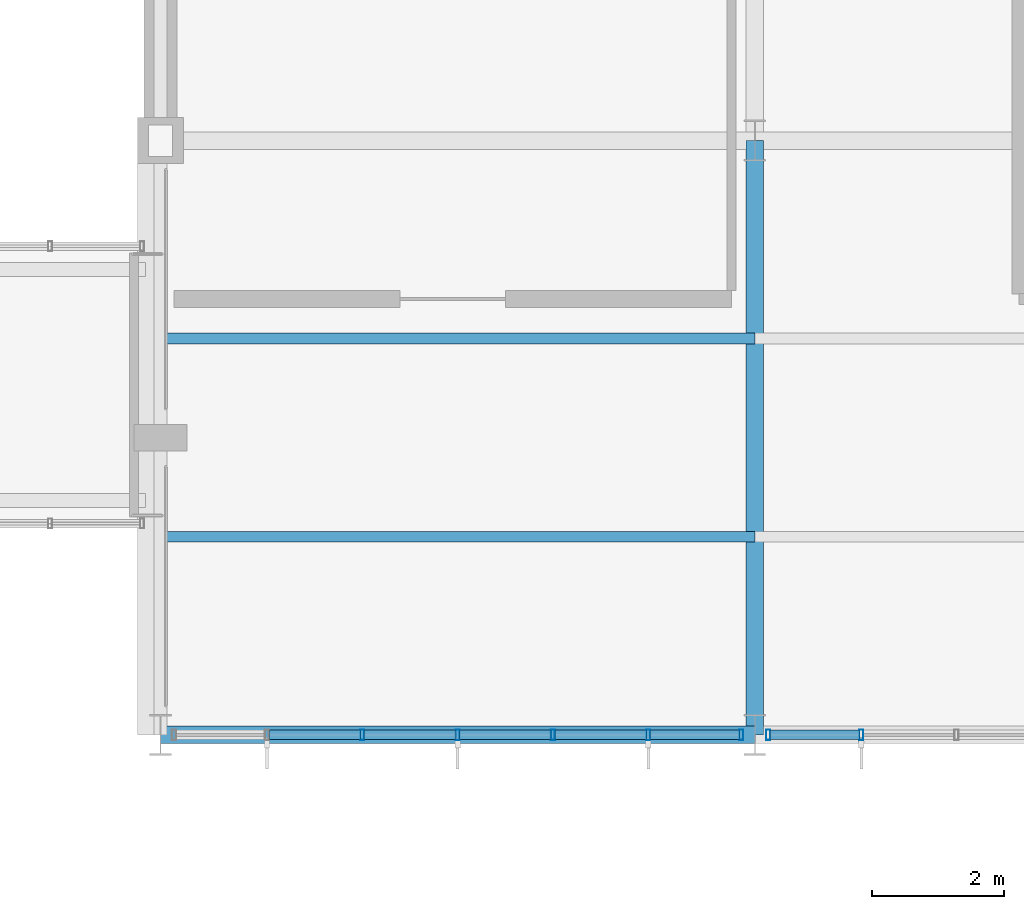
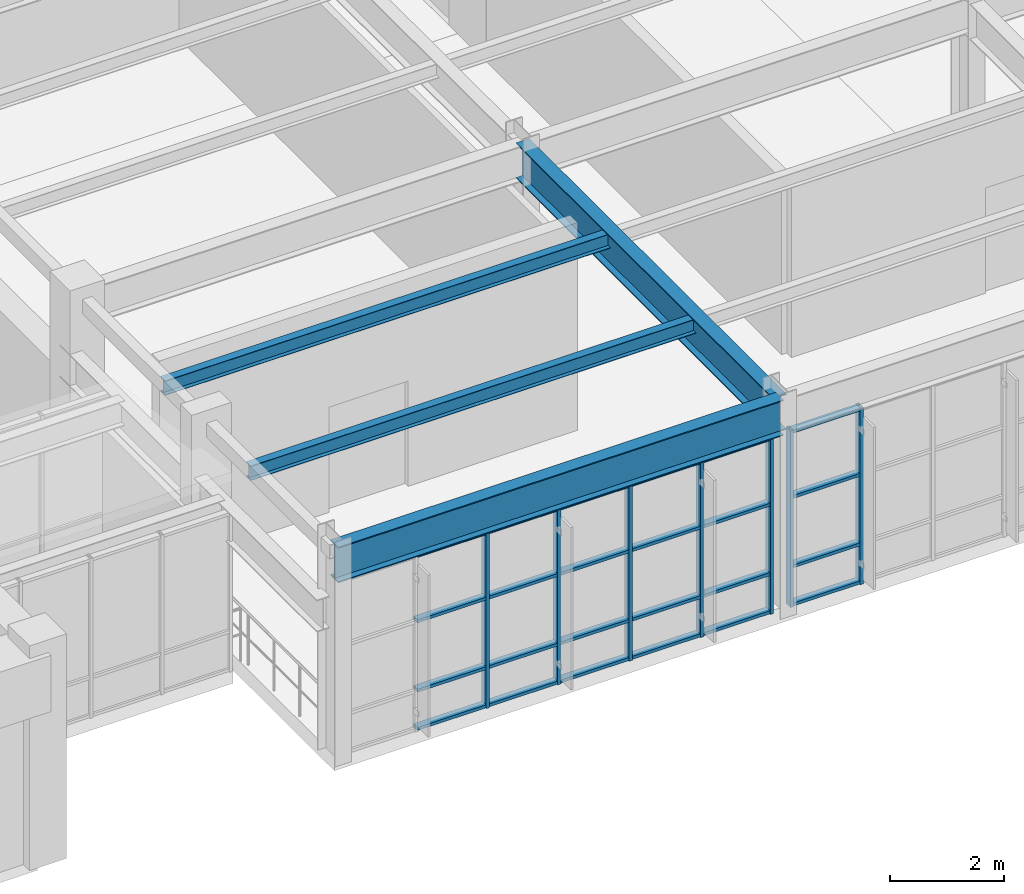
# One storey, part 62 of 99: 33 members, 2 beams, 2 elements without a shape of their own.
"""IFC4 building model written with IfcOpenShell, lengths in metres."""

import ifcopenshell
import ifcopenshell.guid

model = None  # the IFC model being written
_history = None  # IfcOwnerHistory: only IFC2X3 demands one
_inside = {}  # id of a spatial element -> (the spatial element, [elements in it])
_under = {}  # id of a project, library or spatial element -> (it, [spatial elements below it])
_declared = {}  # id of a project -> (the project, [libraries it declares])
_typed = {}  # id of a type object -> (the type object, [elements of that type])
_made_of = {}  # id of a material, layer set ... -> (it, [elements and type objects made of it])


def new_model(schema):
    """Start an empty IFC model of exactly this schema.

    Asked for "IFC4X3", IfcOpenShell would pick the latest addendum, in which some entities
    have other attributes; the version numbers below select the first issue.
    IFC2X3 requires an IfcOwnerHistory on every rooted entity: one is made here for all.
    """
    global model, _history
    if schema == "IFC4X3":
        model = ifcopenshell.file(schema_version=(4, 3, 0, 0))
    else:
        model = ifcopenshell.file(schema=schema)
    _inside.clear()
    _under.clear()
    _declared.clear()
    _typed.clear()
    _made_of.clear()
    _history = None
    if model.schema == "IFC2X3":
        org = make("IfcOrganization", Name="unknown")
        user = make(
            "IfcPersonAndOrganization",
            ThePerson=make("IfcPerson", FamilyName="unknown"),
            TheOrganization=org,
        )
        app = make(
            "IfcApplication",
            ApplicationDeveloper=org,
            Version="unknown",
            ApplicationFullName="unknown",
            ApplicationIdentifier="unknown",
        )
        _history = make(
            "IfcOwnerHistory",
            OwningUser=user,
            OwningApplication=app,
            ChangeAction="ADDED",
            CreationDate=0,
        )
    return model


def make(cls, **values):
    """One entity of the class cls with the attributes given. An attribute that is None is left unset."""
    return model.create_entity(
        cls, **{name: value for name, value in values.items() if value is not None}
    )


def rooted(cls, **values):
    """An entity with a GlobalId (a new one), such as an element, a storey or a relation."""
    return make(cls, GlobalId=ifcopenshell.guid.new(), OwnerHistory=_history, **values)


def si_unit(unit_type, name, prefix=None):
    """IfcSIUnit, for example si_unit("LENGTHUNIT", "METRE", prefix="MILLI")."""
    return make("IfcSIUnit", UnitType=unit_type, Prefix=prefix, Name=name)


def assignment(units):
    """IfcUnitAssignment: the units of a project."""
    return None if units is None else make("IfcUnitAssignment", Units=units)


def point(xyz):
    """IfcCartesianPoint."""
    return None if xyz is None else make("IfcCartesianPoint", Coordinates=xyz)


def direction(xyz):
    """IfcDirection."""
    return None if xyz is None else make("IfcDirection", DirectionRatios=xyz)


def frame(location, z_axis=None, x_axis=None):
    """IfcAxis2Placement3D, a coordinate frame: its origin and axes. An axis left out is left unset."""
    return make(
        "IfcAxis2Placement3D",
        Location=point(location),
        Axis=direction(z_axis),
        RefDirection=direction(x_axis),
    )


def frame_2d(location, x_axis=None):
    """IfcAxis2Placement2D, a coordinate frame in the plane: its origin and x axis."""
    return make(
        "IfcAxis2Placement2D", Location=point(location), RefDirection=direction(x_axis)
    )


def origin():
    """The frame at (0, 0, 0) with its axes left unset."""
    return frame((0.0, 0.0, 0.0))


def origin_2d():
    """The frame at (0, 0) in the plane with its x axis left unset."""
    return frame_2d((0.0, 0.0))


def place(relative_to, where):
    """IfcLocalPlacement: puts the frame where relative to a parent placement (None: the world)."""
    return make(
        "IfcLocalPlacement", PlacementRelTo=relative_to, RelativePlacement=where
    )


def context(
    kind, dimensions, precision=None, world=None, true_north=None, identifier=None
):
    """IfcGeometricRepresentationContext, for example the 3D "Model" context."""
    return make(
        "IfcGeometricRepresentationContext",
        ContextIdentifier=identifier,
        ContextType=kind,
        CoordinateSpaceDimension=dimensions,
        Precision=precision,
        WorldCoordinateSystem=world,
        TrueNorth=true_north,
    )


def subcontext(parent, identifier, kind, view, scale=None):
    """IfcGeometricRepresentationSubContext, for example "Body" below "Model"."""
    return make(
        "IfcGeometricRepresentationSubContext",
        ContextIdentifier=identifier,
        ContextType=kind,
        ParentContext=parent,
        TargetScale=scale,
        TargetView=view,
    )


def project(units=None, contexts=None):
    """IfcProject with its units and contexts."""
    return rooted(
        "IfcProject",
        Name="project",
        RepresentationContexts=contexts,
        UnitsInContext=assignment(units),
    )


def spatial(cls, under=None, at=None, **own):
    """A site, building, storey or space (cls), placed at a placement, below another one or the project."""
    s = rooted(cls, ObjectPlacement=at, **own)
    if under is not None:
        _under.setdefault(under.id(), (under, []))[1].append(s)
    return s


def profile(cls, at=None, kind="AREA", **sizes):
    """A parametric profile (cls). Its sizes go by their IFC names, for example OverallWidth=200.0."""
    return make(cls, ProfileType=kind, Position=at, **sizes)


def hollow_rectangle(**sizes):
    """IfcRectangleHollowProfileDef."""
    return profile("IfcRectangleHollowProfileDef", **sizes)


def i_section(**sizes):
    """IfcIShapeProfileDef."""
    return profile("IfcIShapeProfileDef", **sizes)


def extrude(swept, where, along, depth):
    """IfcExtrudedAreaSolid: the profile swept, set in the frame where, extruded along a direction by depth."""
    return make(
        "IfcExtrudedAreaSolid",
        SweptArea=swept,
        Position=where,
        ExtrudedDirection=direction(along),
        Depth=depth,
    )


def shape(context_of_items, identifier, shape_type, items):
    """IfcShapeRepresentation: the items that make up one representation, for example the "Body"."""
    return make(
        "IfcShapeRepresentation",
        ContextOfItems=context_of_items,
        RepresentationIdentifier=identifier,
        RepresentationType=shape_type,
        Items=items,
    )


def material(Name=None, Category=None):
    """IfcMaterial."""
    return make("IfcMaterial", Name=Name, Category=Category)


def layer(
    of_material, thickness, ventilated=None, Name=None, Category=None, Priority=None
):
    """IfcMaterialLayer: one layer of a wall or slab, of a material (None: an air gap)."""
    return make(
        "IfcMaterialLayer",
        Material=of_material,
        LayerThickness=thickness,
        IsVentilated=ventilated,
        Name=Name,
        Category=Category,
        Priority=Priority,
    )


def layer_set(layers, Name=None):
    """IfcMaterialLayerSet."""
    return make("IfcMaterialLayerSet", MaterialLayers=layers, LayerSetName=Name)


def material_profile(
    of_material, cross_section, Name=None, Category=None, Priority=None
):
    """IfcMaterialProfile: a cross section and its material."""
    return make(
        "IfcMaterialProfile",
        Name=Name,
        Material=of_material,
        Profile=cross_section,
        Priority=Priority,
        Category=Category,
    )


def profile_set(profiles, Name=None, composite=None):
    """IfcMaterialProfileSet."""
    return make(
        "IfcMaterialProfileSet",
        Name=Name,
        MaterialProfiles=profiles,
        CompositeProfile=composite,
    )


def made_of(thing, what):
    """Note that an element or type object is made of a material, layer set ...; save() writes the relation."""
    if what is not None:
        _made_of.setdefault(what.id(), (what, []))[1].append(thing)
    return thing


def type_object(cls, material=None, **own):
    """A type object (cls), such as IfcWallType, which elements share."""
    return made_of(rooted(cls, **own), material)


def element(
    cls,
    number,
    at=None,
    inside=None,
    cuts=None,
    type_object=None,
    material=None,
    context=None,
    identifier="Body",
    shape_type=None,
    held_by="IfcProductDefinitionShape",
    body=None,
    shapes=None,
    **own,
):
    """One element of the class cls, such as IfcWall. Its Tag is "e" and its number.

    at: its placement. inside: the storey or other place that contains it. cuts: it is an
    opening in that element (IfcRelVoidsElement). A single representation is given by context,
    identifier, shape_type and body (its items); several are given by shapes. held_by: the class
    of the entity that holds the representations. save() writes the other relations.
    """
    e = rooted(cls, Tag="e%d" % number, ObjectPlacement=at, **own)
    if body is not None:
        shapes = [shape(context, identifier, shape_type, body)]
    if shapes is not None:
        e.Representation = make(held_by, Representations=shapes)
    if inside is not None:
        _inside.setdefault(inside.id(), (inside, []))[1].append(e)
    if cuts is not None:
        rooted(
            "IfcRelVoidsElement", RelatingBuildingElement=cuts, RelatedOpeningElement=e
        )
    if type_object is not None:
        _typed.setdefault(type_object.id(), (type_object, []))[1].append(e)
    return made_of(e, material)


def aggregate(whole, parts):
    """IfcRelAggregates: a whole, such as a stair, and the parts it consists of."""
    return rooted("IfcRelAggregates", RelatingObject=whole, RelatedObjects=parts)


def save(model, path):
    """Write the relations noted so far, then the file.

    IfcRelAggregates (storeys below a building ...), IfcRelContainedInSpatialStructure (elements
    in a storey), IfcRelDefinesByType, IfcRelAssociatesMaterial and IfcRelDeclares: one each for
    every whole, place, type object, material and project.
    """
    for whole, parts in _under.values():
        aggregate(whole, parts)
    for where, things in _inside.values():
        rooted(
            "IfcRelContainedInSpatialStructure",
            RelatedElements=things,
            RelatingStructure=where,
        )
    for kind, things in _typed.values():
        rooted("IfcRelDefinesByType", RelatedObjects=things, RelatingType=kind)
    for what, things in _made_of.values():
        rooted("IfcRelAssociatesMaterial", RelatedObjects=things, RelatingMaterial=what)
    for by, libraries in _declared.values():
        rooted("IfcRelDeclares", RelatingContext=by, RelatedDefinitions=libraries)
    model.write(path)


model = new_model("IFC4")

# Units and contexts
model_context = context("Model", 3, precision=1e-05, world=origin(), true_north=direction((0.0, 1.0)))
body_context = subcontext(model_context, "Body", "Model", "MODEL_VIEW")
ifc_project = project(units=[si_unit("LENGTHUNIT", "METRE"), si_unit("AREAUNIT", "SQUARE_METRE"), si_unit("VOLUMEUNIT", "CUBIC_METRE"), si_unit("PLANEANGLEUNIT", "RADIAN"), si_unit("MASSUNIT", "GRAM", prefix="KILO")], contexts=[model_context])

# Site, building, storey
site_placement = place(None, origin())
site = spatial("IfcSite", under=ifc_project, at=site_placement, CompositionType="ELEMENT")
building_placement = place(site_placement, origin())
building = spatial("IfcBuilding", under=site, at=building_placement, Name="Ventoquebrada Cableway Terminal", CompositionType="ELEMENT")
storey_placement = place(building_placement, frame((0.0, 0.0, 9.60009765625)))
storey = spatial("IfcBuildingStorey", under=building, at=storey_placement, Name="L02", CompositionType="ELEMENT", Elevation=9.60009765625)

# Beams
ifc_material_1 = material(Name="Steel ASTM A992 Grade 50", Category="steel")
ifc_material_profile_1 = material_profile(ifc_material_1, i_section(OverallWidth=0.26708984375, OverallDepth=0.761962890625, WebThickness=0.014404296875, FlangeThickness=0.021484375, at=origin_2d()), Name="W30X116")
ifc_profile_set_1 = profile_set([ifc_material_profile_1], Name="Steel ASTM A992 Grade 50")
beam_type = type_object("IfcBeamType", Name="BM-ST05", PredefinedType="BEAM", material=ifc_profile_set_1)
for number, where, z_axis, x_axis, name in (
    (1, (129.0, 77.0, 4.14892578125), (1.0, 0.0, 0.0), (0.0, 1.0, 0.0), "Primary frame girder FBM-0856"),
    (2, (138.0, 77.0, 4.14892578125), (0.0, 1.0, 0.0), (-1.0, 0.0, 0.0), "Primary frame girder FBM-0876"),
):
    element("IfcBeam", number, at=place(storey_placement, frame(where, z_axis=z_axis, x_axis=x_axis)), inside=storey, type_object=beam_type, Name=name, PredefinedType="BEAM", context=body_context, shape_type="SweptSolid", body=[
        extrude(i_section(OverallWidth=0.26708984375, OverallDepth=0.761962890625, WebThickness=0.014404296875, FlangeThickness=0.021484375, at=origin_2d()), origin(), (0.0, 0.0, 1.0), 9.0),
    ])

# Curtain wall, members
ifc_material_2 = material(Name="Anodized thermally-broken aluminium", Category="aluminium")
ifc_layer = layer(ifc_material_2, 0.159912109375)
ifc_layer_set = layer_set([ifc_layer], Name="Anodized thermally-broken aluminium")
curtain_wall_type = type_object("IfcCurtainWallType", Name="CW-T33", PredefinedType="USERDEFINED", material=ifc_layer_set)
curtain_wall_1_placement = place(storey_placement, origin())
curtain_wall_1 = element("IfcCurtainWall", 3, at=curtain_wall_1_placement, inside=storey, type_object=curtain_wall_type, Name="Unitised glazed curtain wall CW-078", ObjectType="UNITISED CURTAIN WALL", PredefinedType="USERDEFINED")
ifc_material_profile_2 = material_profile(ifc_material_2, hollow_rectangle(XDim=0.06494140625, YDim=0.159912109375, WallThickness=0.00390625, at=origin_2d()), Name="CW-MUL-65X160")
ifc_profile_set_2 = profile_set([ifc_material_profile_2], Name="Anodized thermally-broken aluminium")
member_type_1 = type_object("IfcMemberType", Name="CWM-01", PredefinedType="MULLION", material=ifc_profile_set_2)
member_1_placement = place(storey_placement, frame((132.055908203125, 77.0, -0.008056640625), z_axis=(0.0, 0.0, 1.0), x_axis=(1.0, 0.0, 0.0)))
member_1 = element("IfcMember", 4, at=member_1_placement, type_object=member_type_1, Name="Curtain wall mullion FML-0374", PredefinedType="MULLION", context=body_context, shape_type="SweptSolid", body=[
    extrude(hollow_rectangle(XDim=0.06494140625, YDim=0.159912109375, WallThickness=0.00390625, at=origin_2d()), origin(), (0.0, 0.0, 1.0), 3.77587890625),
])
member_2_placement = place(storey_placement, frame((133.5, 77.0, -0.008056640625), z_axis=(0.0, 0.0, 1.0), x_axis=(1.0, 0.0, 0.0)))
member_2 = element("IfcMember", 5, at=member_2_placement, type_object=member_type_1, Name="Curtain wall mullion FML-0375", PredefinedType="MULLION", context=body_context, shape_type="SweptSolid", body=[
    extrude(hollow_rectangle(XDim=0.06494140625, YDim=0.159912109375, WallThickness=0.00390625, at=origin_2d()), origin(), (0.0, 0.0, 1.0), 3.77587890625),
])
member_3_placement = place(storey_placement, frame((134.944091796875, 77.0, -0.008056640625), z_axis=(0.0, 0.0, 1.0), x_axis=(1.0, 0.0, 0.0)))
member_3 = element("IfcMember", 6, at=member_3_placement, type_object=member_type_1, Name="Curtain wall mullion FML-0376", PredefinedType="MULLION", context=body_context, shape_type="SweptSolid", body=[
    extrude(hollow_rectangle(XDim=0.06494140625, YDim=0.159912109375, WallThickness=0.00390625, at=origin_2d()), origin(), (0.0, 0.0, 1.0), 3.77587890625),
])
member_4_placement = place(storey_placement, frame((136.386962890625, 77.0, -0.008056640625), z_axis=(0.0, 0.0, 1.0), x_axis=(1.0, 0.0, 0.0)))
member_4 = element("IfcMember", 7, at=member_4_placement, type_object=member_type_1, Name="Curtain wall mullion FML-0377", PredefinedType="MULLION", context=body_context, shape_type="SweptSolid", body=[
    extrude(hollow_rectangle(XDim=0.06494140625, YDim=0.159912109375, WallThickness=0.00390625, at=origin_2d()), origin(), (0.0, 0.0, 1.0), 3.77587890625),
])
member_5_placement = place(storey_placement, frame((137.7958984375, 77.0, -0.008056640625), z_axis=(0.0, 0.0, 1.0), x_axis=(1.0, 0.0, 0.0)))
member_5 = element("IfcMember", 8, at=member_5_placement, type_object=member_type_1, Name="Curtain wall mullion FML-0378", PredefinedType="MULLION", context=body_context, shape_type="SweptSolid", body=[
    extrude(hollow_rectangle(XDim=0.06494140625, YDim=0.159912109375, WallThickness=0.00390625, at=origin_2d()), origin(), (0.0, 0.0, 1.0), 3.77587890625),
])

curtain_wall_2_placement = place(storey_placement, origin())
curtain_wall_2 = element("IfcCurtainWall", 9, at=curtain_wall_2_placement, inside=storey, type_object=curtain_wall_type, Name="Unitised glazed curtain wall CW-079", ObjectType="UNITISED CURTAIN WALL", PredefinedType="USERDEFINED")
member_6_placement = place(storey_placement, frame((138.2041015625, 77.0, -0.008056640625), z_axis=(0.0, 0.0, 1.0), x_axis=(1.0, 0.0, 0.0)))
member_6 = element("IfcMember", 10, at=member_6_placement, type_object=member_type_1, Name="Curtain wall mullion FML-0379", PredefinedType="MULLION", context=body_context, shape_type="SweptSolid", body=[
    extrude(hollow_rectangle(XDim=0.06494140625, YDim=0.159912109375, WallThickness=0.00390625, at=origin_2d()), origin(), (0.0, 0.0, 1.0), 3.77587890625),
])
member_7_placement = place(storey_placement, frame((139.613037109375, 77.0, -0.008056640625), z_axis=(0.0, 0.0, 1.0), x_axis=(1.0, 0.0, 0.0)))
member_7 = element("IfcMember", 11, at=member_7_placement, type_object=member_type_1, Name="Curtain wall mullion FML-0380", PredefinedType="MULLION", context=body_context, shape_type="SweptSolid", body=[
    extrude(hollow_rectangle(XDim=0.06494140625, YDim=0.159912109375, WallThickness=0.00390625, at=origin_2d()), origin(), (0.0, 0.0, 1.0), 3.77587890625),
])

# Member
ifc_material_profile_3 = material_profile(ifc_material_2, hollow_rectangle(XDim=0.06494140625, YDim=0.139892578125, WallThickness=0.00390625, at=origin_2d()), Name="CW-TRN-65X140")
ifc_profile_set_3 = profile_set([ifc_material_profile_3], Name="Anodized thermally-broken aluminium")
member_type_2 = type_object("IfcMemberType", Name="CWT-01", PredefinedType="USERDEFINED", material=ifc_profile_set_3)
member_8_placement = place(storey_placement, frame((130.639892578125, 77.0, 0.034912109375), z_axis=(1.0, 0.0, 0.0), x_axis=(0.0, 0.0, 1.0)))
member_8 = element("IfcMember", 12, at=member_8_placement, type_object=member_type_2, Name="Curtain wall transom FTR-1088", ObjectType="TRANSOM", PredefinedType="USERDEFINED", context=body_context, shape_type="SweptSolid", body=[
    extrude(hollow_rectangle(XDim=0.06494140625, YDim=0.139892578125, WallThickness=0.00390625, at=origin_2d()), origin(), (0.0, 0.0, 1.0), 1.38916015625),
])

member_9_placement = place(storey_placement, frame((130.639892578125, 77.0, 0.849853515625), z_axis=(1.0, 0.0, 0.0), x_axis=(0.0, 0.0, 1.0)))
member_9 = element("IfcMember", 13, at=member_9_placement, type_object=member_type_2, Name="Curtain wall transom FTR-1089", ObjectType="TRANSOM", PredefinedType="USERDEFINED", context=body_context, shape_type="SweptSolid", body=[
    extrude(hollow_rectangle(XDim=0.06494140625, YDim=0.139892578125, WallThickness=0.00390625, at=origin_2d()), origin(), (0.0, 0.0, 1.0), 1.38916015625),
])

member_10_placement = place(storey_placement, frame((130.639892578125, 77.0, 2.3330078125), z_axis=(1.0, 0.0, 0.0), x_axis=(0.0, 0.0, 1.0)))
member_10 = element("IfcMember", 14, at=member_10_placement, type_object=member_type_2, Name="Curtain wall transom FTR-1090", ObjectType="TRANSOM", PredefinedType="USERDEFINED", context=body_context, shape_type="SweptSolid", body=[
    extrude(hollow_rectangle(XDim=0.06494140625, YDim=0.139892578125, WallThickness=0.00390625, at=origin_2d()), origin(), (0.0, 0.0, 1.0), 1.38916015625),
])

member_11_placement = place(storey_placement, frame((130.639892578125, 77.0, 3.727783203125), z_axis=(1.0, 0.0, 0.0), x_axis=(0.0, 0.0, 1.0)))
member_11 = element("IfcMember", 15, at=member_11_placement, type_object=member_type_2, Name="Curtain wall transom FTR-1091", ObjectType="TRANSOM", PredefinedType="USERDEFINED", context=body_context, shape_type="SweptSolid", body=[
    extrude(hollow_rectangle(XDim=0.06494140625, YDim=0.139892578125, WallThickness=0.00390625, at=origin_2d()), origin(), (0.0, 0.0, 1.0), 1.38916015625),
])

member_12_placement = place(storey_placement, frame((132.083984375, 77.0, 0.034912109375), z_axis=(1.0, 0.0, 0.0), x_axis=(0.0, 0.0, 1.0)))
member_12 = element("IfcMember", 16, at=member_12_placement, type_object=member_type_2, Name="Curtain wall transom FTR-1092", ObjectType="TRANSOM", PredefinedType="USERDEFINED", context=body_context, shape_type="SweptSolid", body=[
    extrude(hollow_rectangle(XDim=0.06494140625, YDim=0.139892578125, WallThickness=0.00390625, at=origin_2d()), origin(), (0.0, 0.0, 1.0), 1.387939453125),
])

member_13_placement = place(storey_placement, frame((132.083984375, 77.0, 0.849853515625), z_axis=(1.0, 0.0, 0.0), x_axis=(0.0, 0.0, 1.0)))
member_13 = element("IfcMember", 17, at=member_13_placement, type_object=member_type_2, Name="Curtain wall transom FTR-1093", ObjectType="TRANSOM", PredefinedType="USERDEFINED", context=body_context, shape_type="SweptSolid", body=[
    extrude(hollow_rectangle(XDim=0.06494140625, YDim=0.139892578125, WallThickness=0.00390625, at=origin_2d()), origin(), (0.0, 0.0, 1.0), 1.387939453125),
])

member_14_placement = place(storey_placement, frame((132.083984375, 77.0, 2.3330078125), z_axis=(1.0, 0.0, 0.0), x_axis=(0.0, 0.0, 1.0)))
member_14 = element("IfcMember", 18, at=member_14_placement, type_object=member_type_2, Name="Curtain wall transom FTR-1094", ObjectType="TRANSOM", PredefinedType="USERDEFINED", context=body_context, shape_type="SweptSolid", body=[
    extrude(hollow_rectangle(XDim=0.06494140625, YDim=0.139892578125, WallThickness=0.00390625, at=origin_2d()), origin(), (0.0, 0.0, 1.0), 1.387939453125),
])

member_15_placement = place(storey_placement, frame((132.083984375, 77.0, 3.727783203125), z_axis=(1.0, 0.0, 0.0), x_axis=(0.0, 0.0, 1.0)))
member_15 = element("IfcMember", 19, at=member_15_placement, type_object=member_type_2, Name="Curtain wall transom FTR-1095", ObjectType="TRANSOM", PredefinedType="USERDEFINED", context=body_context, shape_type="SweptSolid", body=[
    extrude(hollow_rectangle(XDim=0.06494140625, YDim=0.139892578125, WallThickness=0.00390625, at=origin_2d()), origin(), (0.0, 0.0, 1.0), 1.387939453125),
])

member_16_placement = place(storey_placement, frame((133.528076171875, 77.0, 0.034912109375), z_axis=(1.0, 0.0, 0.0), x_axis=(0.0, 0.0, 1.0)))
member_16 = element("IfcMember", 20, at=member_16_placement, type_object=member_type_2, Name="Curtain wall transom FTR-1096", ObjectType="TRANSOM", PredefinedType="USERDEFINED", context=body_context, shape_type="SweptSolid", body=[
    extrude(hollow_rectangle(XDim=0.06494140625, YDim=0.139892578125, WallThickness=0.00390625, at=origin_2d()), origin(), (0.0, 0.0, 1.0), 1.387939453125),
])

member_17_placement = place(storey_placement, frame((133.528076171875, 77.0, 0.849853515625), z_axis=(1.0, 0.0, 0.0), x_axis=(0.0, 0.0, 1.0)))
member_17 = element("IfcMember", 21, at=member_17_placement, type_object=member_type_2, Name="Curtain wall transom FTR-1097", ObjectType="TRANSOM", PredefinedType="USERDEFINED", context=body_context, shape_type="SweptSolid", body=[
    extrude(hollow_rectangle(XDim=0.06494140625, YDim=0.139892578125, WallThickness=0.00390625, at=origin_2d()), origin(), (0.0, 0.0, 1.0), 1.387939453125),
])

member_18_placement = place(storey_placement, frame((133.528076171875, 77.0, 2.3330078125), z_axis=(1.0, 0.0, 0.0), x_axis=(0.0, 0.0, 1.0)))
member_18 = element("IfcMember", 22, at=member_18_placement, type_object=member_type_2, Name="Curtain wall transom FTR-1098", ObjectType="TRANSOM", PredefinedType="USERDEFINED", context=body_context, shape_type="SweptSolid", body=[
    extrude(hollow_rectangle(XDim=0.06494140625, YDim=0.139892578125, WallThickness=0.00390625, at=origin_2d()), origin(), (0.0, 0.0, 1.0), 1.387939453125),
])

member_19_placement = place(storey_placement, frame((133.528076171875, 77.0, 3.727783203125), z_axis=(1.0, 0.0, 0.0), x_axis=(0.0, 0.0, 1.0)))
member_19 = element("IfcMember", 23, at=member_19_placement, type_object=member_type_2, Name="Curtain wall transom FTR-1099", ObjectType="TRANSOM", PredefinedType="USERDEFINED", context=body_context, shape_type="SweptSolid", body=[
    extrude(hollow_rectangle(XDim=0.06494140625, YDim=0.139892578125, WallThickness=0.00390625, at=origin_2d()), origin(), (0.0, 0.0, 1.0), 1.387939453125),
])

member_20_placement = place(storey_placement, frame((134.970947265625, 77.0, 0.034912109375), z_axis=(1.0, 0.0, 0.0), x_axis=(0.0, 0.0, 1.0)))
member_20 = element("IfcMember", 24, at=member_20_placement, type_object=member_type_2, Name="Curtain wall transom FTR-1100", ObjectType="TRANSOM", PredefinedType="USERDEFINED", context=body_context, shape_type="SweptSolid", body=[
    extrude(hollow_rectangle(XDim=0.06494140625, YDim=0.139892578125, WallThickness=0.00390625, at=origin_2d()), origin(), (0.0, 0.0, 1.0), 1.38916015625),
])

member_21_placement = place(storey_placement, frame((134.970947265625, 77.0, 0.849853515625), z_axis=(1.0, 0.0, 0.0), x_axis=(0.0, 0.0, 1.0)))
member_21 = element("IfcMember", 25, at=member_21_placement, type_object=member_type_2, Name="Curtain wall transom FTR-1101", ObjectType="TRANSOM", PredefinedType="USERDEFINED", context=body_context, shape_type="SweptSolid", body=[
    extrude(hollow_rectangle(XDim=0.06494140625, YDim=0.139892578125, WallThickness=0.00390625, at=origin_2d()), origin(), (0.0, 0.0, 1.0), 1.38916015625),
])

member_22_placement = place(storey_placement, frame((134.970947265625, 77.0, 2.3330078125), z_axis=(1.0, 0.0, 0.0), x_axis=(0.0, 0.0, 1.0)))
member_22 = element("IfcMember", 26, at=member_22_placement, type_object=member_type_2, Name="Curtain wall transom FTR-1102", ObjectType="TRANSOM", PredefinedType="USERDEFINED", context=body_context, shape_type="SweptSolid", body=[
    extrude(hollow_rectangle(XDim=0.06494140625, YDim=0.139892578125, WallThickness=0.00390625, at=origin_2d()), origin(), (0.0, 0.0, 1.0), 1.38916015625),
])

member_23_placement = place(storey_placement, frame((134.970947265625, 77.0, 3.727783203125), z_axis=(1.0, 0.0, 0.0), x_axis=(0.0, 0.0, 1.0)))
member_23 = element("IfcMember", 27, at=member_23_placement, type_object=member_type_2, Name="Curtain wall transom FTR-1103", ObjectType="TRANSOM", PredefinedType="USERDEFINED", context=body_context, shape_type="SweptSolid", body=[
    extrude(hollow_rectangle(XDim=0.06494140625, YDim=0.139892578125, WallThickness=0.00390625, at=origin_2d()), origin(), (0.0, 0.0, 1.0), 1.38916015625),
])

member_24_placement = place(storey_placement, frame((136.4150390625, 77.0, 0.034912109375), z_axis=(1.0, 0.0, 0.0), x_axis=(0.0, 0.0, 1.0)))
member_24 = element("IfcMember", 28, at=member_24_placement, type_object=member_type_2, Name="Curtain wall transom FTR-1104", ObjectType="TRANSOM", PredefinedType="USERDEFINED", context=body_context, shape_type="SweptSolid", body=[
    extrude(hollow_rectangle(XDim=0.06494140625, YDim=0.139892578125, WallThickness=0.00390625, at=origin_2d()), origin(), (0.0, 0.0, 1.0), 1.35302734375),
])

member_25_placement = place(storey_placement, frame((136.4150390625, 77.0, 0.849853515625), z_axis=(1.0, 0.0, 0.0), x_axis=(0.0, 0.0, 1.0)))
member_25 = element("IfcMember", 29, at=member_25_placement, type_object=member_type_2, Name="Curtain wall transom FTR-1105", ObjectType="TRANSOM", PredefinedType="USERDEFINED", context=body_context, shape_type="SweptSolid", body=[
    extrude(hollow_rectangle(XDim=0.06494140625, YDim=0.139892578125, WallThickness=0.00390625, at=origin_2d()), origin(), (0.0, 0.0, 1.0), 1.35302734375),
])

member_26_placement = place(storey_placement, frame((136.4150390625, 77.0, 2.3330078125), z_axis=(1.0, 0.0, 0.0), x_axis=(0.0, 0.0, 1.0)))
member_26 = element("IfcMember", 30, at=member_26_placement, type_object=member_type_2, Name="Curtain wall transom FTR-1106", ObjectType="TRANSOM", PredefinedType="USERDEFINED", context=body_context, shape_type="SweptSolid", body=[
    extrude(hollow_rectangle(XDim=0.06494140625, YDim=0.139892578125, WallThickness=0.00390625, at=origin_2d()), origin(), (0.0, 0.0, 1.0), 1.35302734375),
])

member_27_placement = place(storey_placement, frame((136.4150390625, 77.0, 3.727783203125), z_axis=(1.0, 0.0, 0.0), x_axis=(0.0, 0.0, 1.0)))
member_27 = element("IfcMember", 31, at=member_27_placement, type_object=member_type_2, Name="Curtain wall transom FTR-1107", ObjectType="TRANSOM", PredefinedType="USERDEFINED", context=body_context, shape_type="SweptSolid", body=[
    extrude(hollow_rectangle(XDim=0.06494140625, YDim=0.139892578125, WallThickness=0.00390625, at=origin_2d()), origin(), (0.0, 0.0, 1.0), 1.35302734375),
])

aggregate(curtain_wall_1, [member_1, member_2, member_3, member_4, member_5, member_8, member_9, member_10, member_11, member_12, member_13, member_14, member_15, member_16, member_17, member_18, member_19, member_20, member_21, member_22, member_23, member_24, member_25, member_26, member_27])

member_28_placement = place(storey_placement, frame((138.23193359375, 77.0, 0.034912109375), z_axis=(1.0, 0.0, 0.0), x_axis=(0.0, 0.0, 1.0)))
member_28 = element("IfcMember", 32, at=member_28_placement, type_object=member_type_2, Name="Curtain wall transom FTR-1108", ObjectType="TRANSOM", PredefinedType="USERDEFINED", context=body_context, shape_type="SweptSolid", body=[
    extrude(hollow_rectangle(XDim=0.06494140625, YDim=0.139892578125, WallThickness=0.00390625, at=origin_2d()), origin(), (0.0, 0.0, 1.0), 1.35302734375),
])

member_29_placement = place(storey_placement, frame((138.23193359375, 77.0, 0.849853515625), z_axis=(1.0, 0.0, 0.0), x_axis=(0.0, 0.0, 1.0)))
member_29 = element("IfcMember", 33, at=member_29_placement, type_object=member_type_2, Name="Curtain wall transom FTR-1109", ObjectType="TRANSOM", PredefinedType="USERDEFINED", context=body_context, shape_type="SweptSolid", body=[
    extrude(hollow_rectangle(XDim=0.06494140625, YDim=0.139892578125, WallThickness=0.00390625, at=origin_2d()), origin(), (0.0, 0.0, 1.0), 1.35302734375),
])

member_30_placement = place(storey_placement, frame((138.23193359375, 77.0, 2.3330078125), z_axis=(1.0, 0.0, 0.0), x_axis=(0.0, 0.0, 1.0)))
member_30 = element("IfcMember", 34, at=member_30_placement, type_object=member_type_2, Name="Curtain wall transom FTR-1110", ObjectType="TRANSOM", PredefinedType="USERDEFINED", context=body_context, shape_type="SweptSolid", body=[
    extrude(hollow_rectangle(XDim=0.06494140625, YDim=0.139892578125, WallThickness=0.00390625, at=origin_2d()), origin(), (0.0, 0.0, 1.0), 1.35302734375),
])

member_31_placement = place(storey_placement, frame((138.23193359375, 77.0, 3.727783203125), z_axis=(1.0, 0.0, 0.0), x_axis=(0.0, 0.0, 1.0)))
member_31 = element("IfcMember", 35, at=member_31_placement, type_object=member_type_2, Name="Curtain wall transom FTR-1111", ObjectType="TRANSOM", PredefinedType="USERDEFINED", context=body_context, shape_type="SweptSolid", body=[
    extrude(hollow_rectangle(XDim=0.06494140625, YDim=0.139892578125, WallThickness=0.00390625, at=origin_2d()), origin(), (0.0, 0.0, 1.0), 1.35302734375),
])

aggregate(curtain_wall_2, [member_6, member_7, member_28, member_29, member_30, member_31])

# Members
ifc_material_profile_4 = material_profile(ifc_material_1, i_section(OverallWidth=0.1650390625, OverallDepth=0.31005859375, WebThickness=0.005859375, FlangeThickness=0.009765625, at=origin_2d()), Name="W12X26")
ifc_profile_set_4 = profile_set([ifc_material_profile_4], Name="Steel ASTM A992 Grade 50")
member_type_3 = type_object("IfcMemberType", Name="PUR-RF05", PredefinedType="PURLIN", material=ifc_profile_set_4)
for number, where, z_axis, x_axis, name in (
    (36, (129.0, 80.0, 4.260009765625), (1.0, 0.0, 0.0), (0.0, 1.0, 0.0), "Roof support purlin RPR-0511"),
    (37, (129.0, 83.0, 4.260009765625), (1.0, 0.0, 0.0), (0.0, 1.0, 0.0), "Roof support purlin RPR-0514"),
):
    element("IfcMember", number, at=place(storey_placement, frame(where, z_axis=z_axis, x_axis=x_axis)), inside=storey, type_object=member_type_3, Name=name, PredefinedType="PURLIN", context=body_context, shape_type="SweptSolid", body=[
        extrude(i_section(OverallWidth=0.1650390625, OverallDepth=0.31005859375, WebThickness=0.005859375, FlangeThickness=0.009765625, at=origin_2d()), origin(), (0.0, 0.0, 1.0), 9.0),
    ])

save(model, "model.ifc")
